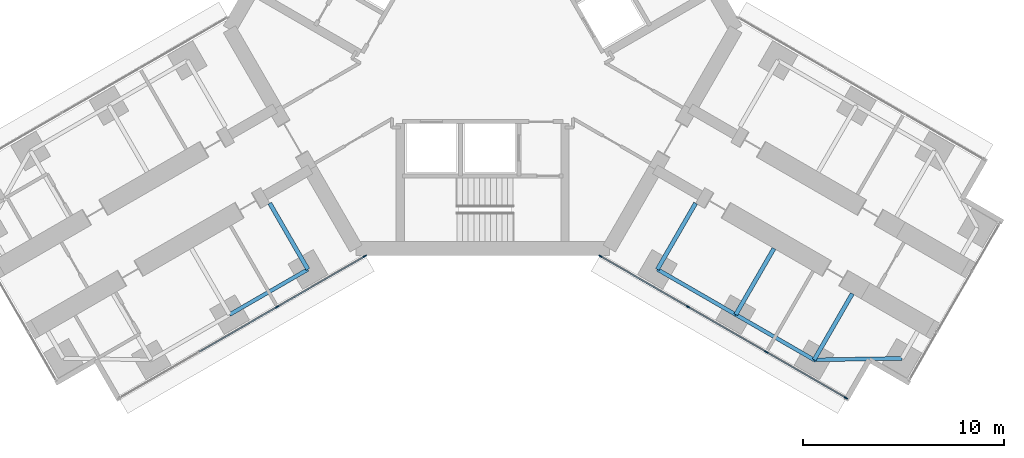
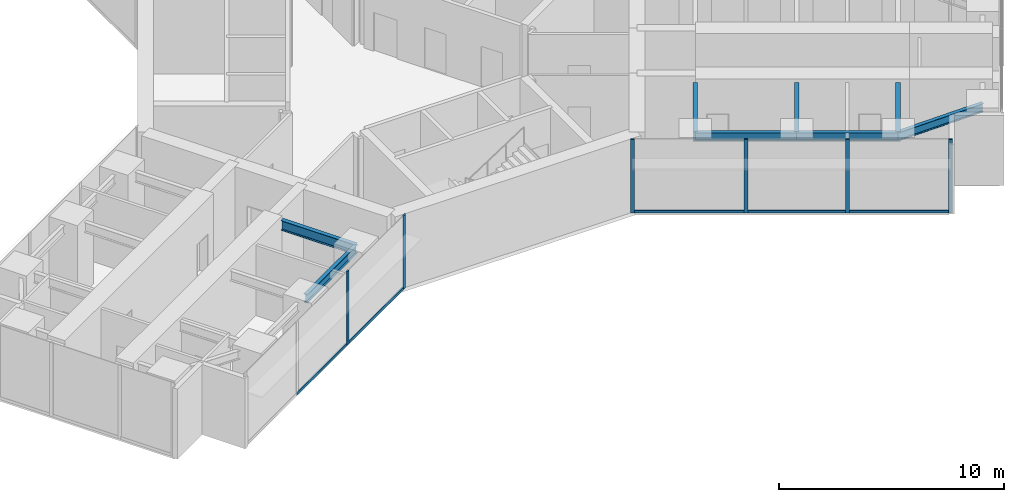
# One storey, part 9 of 24: 11 members, 8 beams, 2 elements without a shape of their own.
"""IFC4 building model written with IfcOpenShell, lengths in metres."""

from ifc_helpers import new_model, si_unit, direction, frame, origin, origin_2d, place, context, subcontext, project, spatial, rectangle, i_section, extrude, material, material_profile, profile_set, type_object, element, aggregate, save


model = new_model("IFC4")

# Units and contexts
model_context = context("Model", 3, precision=1e-05, world=origin(), true_north=direction((0.0, 1.0)))
body_context = subcontext(model_context, "Body", "Model", "MODEL_VIEW")
ifc_project = project(units=[si_unit("LENGTHUNIT", "METRE"), si_unit("AREAUNIT", "SQUARE_METRE"), si_unit("VOLUMEUNIT", "CUBIC_METRE"), si_unit("PLANEANGLEUNIT", "RADIAN"), si_unit("MASSUNIT", "GRAM", prefix="KILO")], contexts=[model_context])

# Site, building, storey
site_placement = place(None, origin())
site = spatial("IfcSite", under=ifc_project, at=site_placement, CompositionType="ELEMENT")
building_placement = place(site_placement, origin())
building = spatial("IfcBuilding", under=site, at=building_placement, Name="Upepo Twin Towers", CompositionType="ELEMENT")
storey_placement = place(building_placement, frame((0.0, 0.0, 48.5)))
storey = spatial("IfcBuildingStorey", under=building, at=storey_placement, Name="L11", CompositionType="ELEMENT", Elevation=48.5)

# Beams
ifc_material_1 = material(Name="Steel S355", Category="steel")
ifc_material_profile_1 = material_profile(ifc_material_1, i_section(OverallWidth=0.1904296875, OverallDepth=0.45703125, WebThickness=0.009033203125, FlangeThickness=0.014404296875, FilletRadius=0.01025390625, at=origin_2d()), Name="UB 457x191x74")
ifc_profile_set_1 = profile_set([ifc_material_profile_1], Name="Steel S355")
beam_type_1 = type_object("IfcBeamType", Name="Beam UB 457x191x74", PredefinedType="BEAM", material=ifc_profile_set_1)
for number, where, z_axis, x_axis, name in (
    (1, (49.80859375, -29.946044921875, 3.571533203125), (-0.866017533419, -0.500013631625, 0.0), (0.500013631625, -0.866017533419, 0.0), "T2 edge beam BL 13.5-18.0"),
    (2, (67.19140625, -29.946044921875, 3.571533203125), (0.866017533419, -0.500013631625, 0.0), (0.500013631625, 0.866017533419, 0.0), "T2 edge beam CR 13.5-18.0"),
):
    element("IfcBeam", number, at=place(storey_placement, frame(where, z_axis=z_axis, x_axis=x_axis)), inside=storey, type_object=beam_type_1, Name=name, PredefinedType="BEAM", context=body_context, shape_type="SweptSolid", body=[
        extrude(i_section(OverallWidth=0.1904296875, OverallDepth=0.45703125, WebThickness=0.009033203125, FlangeThickness=0.014404296875, FilletRadius=0.01025390625, at=origin_2d()), origin(), (0.0, 0.0, 1.0), 4.499755859375),
    ])
beam_1_placement = place(storey_placement, frame((71.08837890625, -32.196044921875, 3.571533203125), z_axis=(0.866031096941, -0.499990139034, 0.0), x_axis=(0.499990139034, 0.866031096941, 0.0)))
element("IfcBeam", 3, at=beam_1_placement, inside=storey, type_object=beam_type_1, Name="T2 edge beam CR 18.0-22.5", PredefinedType="BEAM", context=body_context, shape_type="SweptSolid", body=[
    extrude(i_section(OverallWidth=0.1904296875, OverallDepth=0.45703125, WebThickness=0.009033203125, FlangeThickness=0.014404296875, FilletRadius=0.01025390625, at=origin_2d()), origin(), (0.0, 0.0, 1.0), 4.5),
])
beam_2_placement = place(storey_placement, frame((74.985595703125, -34.446044921875, 3.571533203125), z_axis=(0.999858804832, 0.016803880528, 0.0), x_axis=(-0.016803880528, 0.999858804832, 0.0)))
element("IfcBeam", 4, at=beam_2_placement, inside=storey, type_object=beam_type_1, Name="T2 nose edge beam CR", PredefinedType="BEAM", context=body_context, shape_type="SweptSolid", body=[
    extrude(i_section(OverallWidth=0.1904296875, OverallDepth=0.45703125, WebThickness=0.009033203125, FlangeThickness=0.014404296875, FilletRadius=0.01025390625, at=origin_2d()), origin(), (0.0, 0.0, 1.0), 4.373291015625),
])
ifc_material_2 = material(Name="Steel S355", Category="steel")
ifc_material_profile_2 = material_profile(ifc_material_2, i_section(OverallWidth=0.209228515625, OverallDepth=0.533203125, WebThickness=0.010009765625, FlangeThickness=0.015625, FilletRadius=0.0126953125, at=origin_2d()), Name="UB 533x210x92")
ifc_profile_set_2 = profile_set([ifc_material_profile_2], Name="Steel S355")
beam_type_2 = type_object("IfcBeamType", Name="Beam UB 533x210x92", PredefinedType="BEAM", material=ifc_profile_set_2)
for number, where, z_axis, x_axis, name in (
    (5, (49.80859375, -29.946044921875, 3.533447265625), (-0.499994975061, 0.866028304915, 0.0), (-0.866028304915, -0.499994975061, 0.0), "T2 girder BL at 13.5"),
    (6, (67.19140625, -29.946044921875, 3.533447265625), (0.499994975061, 0.866028304915, 0.0), (-0.866028304915, 0.499994975061, 0.0), "T2 girder CR at 13.5"),
):
    element("IfcBeam", number, at=place(storey_placement, frame(where, z_axis=z_axis, x_axis=x_axis)), inside=storey, type_object=beam_type_2, Name=name, PredefinedType="BEAM", context=body_context, shape_type="SweptSolid", body=[
        extrude(i_section(OverallWidth=0.209228515625, OverallDepth=0.533203125, WebThickness=0.010009765625, FlangeThickness=0.015625, FilletRadius=0.0126953125, at=origin_2d()), origin(), (0.0, 0.0, 1.0), 3.7998046875),
    ])
beam_3_placement = place(storey_placement, frame((71.08837890625, -32.196044921875, 3.533447265625), z_axis=(0.500043160704, 0.866000483506, 0.0), x_axis=(-0.866000483506, 0.500043160704, 0.0)))
element("IfcBeam", 7, at=beam_3_placement, inside=storey, type_object=beam_type_2, Name="T2 girder CR at 18.0", PredefinedType="BEAM", context=body_context, shape_type="SweptSolid", body=[
    extrude(i_section(OverallWidth=0.209228515625, OverallDepth=0.533203125, WebThickness=0.010009765625, FlangeThickness=0.015625, FilletRadius=0.0126953125, at=origin_2d()), origin(), (0.0, 0.0, 1.0), 3.800048828125),
])
beam_4_placement = place(storey_placement, frame((74.985595703125, -34.446044921875, 3.533447265625), z_axis=(0.499994975061, 0.866028304915, 0.0), x_axis=(-0.866028304915, 0.499994975061, 0.0)))
element("IfcBeam", 8, at=beam_4_placement, inside=storey, type_object=beam_type_2, Name="T2 girder CR at 22.5", PredefinedType="BEAM", context=body_context, shape_type="SweptSolid", body=[
    extrude(i_section(OverallWidth=0.209228515625, OverallDepth=0.533203125, WebThickness=0.010009765625, FlangeThickness=0.015625, FilletRadius=0.0126953125, at=origin_2d()), origin(), (0.0, 0.0, 1.0), 3.7998046875),
])

# Curtain wall, members
ifc_material_3 = material(Name="Aluminium and fritted glass", Category="aluminium")
curtain_wall_type = type_object("IfcCurtainWallType", Name="Tower curtain wall TW1, fritted glass", PredefinedType="NOTDEFINED", material=ifc_material_3)
curtain_wall_1_placement = place(storey_placement, origin())
curtain_wall_1 = element("IfcCurtainWall", 9, at=curtain_wall_1_placement, inside=storey, type_object=curtain_wall_type, Name="T2 L11 wing B flank L curtain wall", PredefinedType="NOTDEFINED")
ifc_material_4 = material(Name="Aluminium mullion", Category="aluminium")
ifc_material_profile_3 = material_profile(ifc_material_4, rectangle(XDim=0.06494140625, YDim=0.179931640625, at=origin_2d()), Name="MULLION 65x180")
ifc_profile_set_3 = profile_set([ifc_material_profile_3], Name="Aluminium mullion")
member_type_1 = type_object("IfcMemberType", Name="Mullion 65x180 TW1", PredefinedType="MULLION", material=ifc_profile_set_3)
member_1_placement = place(storey_placement, frame((52.6416015625, -29.2919921875, 0.0), z_axis=(0.0, 0.0, 1.0), x_axis=(0.500000024426, -0.866025389682, 0.0)))
member_1 = element("IfcMember", 10, at=member_1_placement, type_object=member_type_1, Name="T2 L11 wing B flank L curtain wall mullion 1", PredefinedType="MULLION", context=body_context, shape_type="SweptSolid", body=[
    extrude(rectangle(XDim=0.06494140625, YDim=0.179931640625, at=origin_2d()), origin(), (0.0, 0.0, 1.0), 4.0),
])
member_2_placement = place(storey_placement, frame((48.28515625, -31.807373046875, 0.0), z_axis=(0.0, 0.0, 1.0), x_axis=(0.500000024426, -0.866025389682, 0.0)))
member_2 = element("IfcMember", 11, at=member_2_placement, type_object=member_type_1, Name="T2 L11 wing B flank L curtain wall mullion 2", PredefinedType="MULLION", context=body_context, shape_type="SweptSolid", body=[
    extrude(rectangle(XDim=0.06494140625, YDim=0.179931640625, at=origin_2d()), origin(), (0.0, 0.0, 1.0), 4.0),
])

curtain_wall_2_placement = place(storey_placement, origin())
curtain_wall_2 = element("IfcCurtainWall", 12, at=curtain_wall_2_placement, inside=storey, type_object=curtain_wall_type, Name="T2 L11 wing C flank R curtain wall", PredefinedType="NOTDEFINED")
member_3_placement = place(storey_placement, frame((76.567626953125, -36.341064453125, 0.0), z_axis=(0.0, 0.0, 1.0), x_axis=(-0.500000024426, -0.866025389682, 0.0)))
member_3 = element("IfcMember", 13, at=member_3_placement, type_object=member_type_1, Name="T2 L11 wing C flank R curtain wall mullion 1", PredefinedType="MULLION", context=body_context, shape_type="SweptSolid", body=[
    extrude(rectangle(XDim=0.06494140625, YDim=0.179931640625, at=origin_2d()), origin(), (0.0, 0.0, 1.0), 4.0),
])
member_4_placement = place(storey_placement, frame((72.612060546875, -34.057373046875, 0.0), z_axis=(0.0, 0.0, 1.0), x_axis=(-0.500000024426, -0.866025389682, 0.0)))
member_4 = element("IfcMember", 14, at=member_4_placement, type_object=member_type_1, Name="T2 L11 wing C flank R curtain wall mullion 2", PredefinedType="MULLION", context=body_context, shape_type="SweptSolid", body=[
    extrude(rectangle(XDim=0.06494140625, YDim=0.179931640625, at=origin_2d()), origin(), (0.0, 0.0, 1.0), 4.0),
])
member_5_placement = place(storey_placement, frame((68.71484375, -31.807373046875, 0.0), z_axis=(0.0, 0.0, 1.0), x_axis=(-0.500000024426, -0.866025389682, 0.0)))
member_5 = element("IfcMember", 15, at=member_5_placement, type_object=member_type_1, Name="T2 L11 wing C flank R curtain wall mullion 3", PredefinedType="MULLION", context=body_context, shape_type="SweptSolid", body=[
    extrude(rectangle(XDim=0.06494140625, YDim=0.179931640625, at=origin_2d()), origin(), (0.0, 0.0, 1.0), 4.0),
])
member_6_placement = place(storey_placement, frame((64.3583984375, -29.2919921875, 0.0), z_axis=(0.0, 0.0, 1.0), x_axis=(-0.500000024426, -0.866025389682, 0.0)))
member_6 = element("IfcMember", 16, at=member_6_placement, type_object=member_type_1, Name="T2 L11 wing C flank R curtain wall mullion 4", PredefinedType="MULLION", context=body_context, shape_type="SweptSolid", body=[
    extrude(rectangle(XDim=0.06494140625, YDim=0.179931640625, at=origin_2d()), origin(), (0.0, 0.0, 1.0), 4.0),
])

# Member
ifc_material_5 = material(Name="Aluminium transom", Category="aluminium")
ifc_material_profile_4 = material_profile(ifc_material_5, rectangle(XDim=0.06494140625, YDim=0.14990234375, at=origin_2d()), Name="TRANSOM 65x150")
ifc_profile_set_4 = profile_set([ifc_material_profile_4], Name="Aluminium transom")
member_type_2 = type_object("IfcMemberType", Name="Transom 65x150 TW1", PredefinedType="USERDEFINED", material=ifc_profile_set_4)
member_7_placement = place(storey_placement, frame((52.61328125, -29.308349609375, 0.074951171875), z_axis=(-0.866022642139, -0.50000478328, 0.0), x_axis=(0.50000478328, -0.866022642139, 0.0)))
member_7 = element("IfcMember", 17, at=member_7_placement, type_object=member_type_2, Name="T2 L11 wing B flank L curtain wall transom 1", ObjectType="TRANSOM", PredefinedType="USERDEFINED", context=body_context, shape_type="SweptSolid", body=[
    extrude(rectangle(XDim=0.06494140625, YDim=0.14990234375, at=origin_2d()), origin(), (0.0, 0.0, 1.0), 4.96533203125),
])

member_8_placement = place(storey_placement, frame((48.2568359375, -31.823486328125, 0.074951171875), z_axis=(-0.866022410713, -0.500005184116, 0.0), x_axis=(0.500005184116, -0.866022410713, 0.0)))
member_8 = element("IfcMember", 18, at=member_8_placement, type_object=member_type_2, Name="T2 L11 wing B flank L curtain wall transom 2", ObjectType="TRANSOM", PredefinedType="USERDEFINED", context=body_context, shape_type="SweptSolid", body=[
    extrude(rectangle(XDim=0.06494140625, YDim=0.14990234375, at=origin_2d()), origin(), (0.0, 0.0, 1.0), 4.43505859375),
])

aggregate(curtain_wall_1, [member_1, member_2, member_7, member_8])

member_9_placement = place(storey_placement, frame((76.53955078125, -36.32470703125, 0.074951171875), z_axis=(-0.866035699072, 0.499982167615, 0.0), x_axis=(-0.499982167615, -0.866035699072, 0.0)))
member_9 = element("IfcMember", 19, at=member_9_placement, type_object=member_type_2, Name="T2 L11 wing C flank R curtain wall transom 1", ObjectType="TRANSOM", PredefinedType="USERDEFINED", context=body_context, shape_type="SweptSolid", body=[
    extrude(rectangle(XDim=0.06494140625, YDim=0.14990234375, at=origin_2d()), origin(), (0.0, 0.0, 1.0), 4.502685546875),
])

member_10_placement = place(storey_placement, frame((72.583984375, -34.041015625, 0.074951171875), z_axis=(-0.866022410713, 0.500005184116, 0.0), x_axis=(-0.500005184116, -0.866022410713, 0.0)))
member_10 = element("IfcMember", 20, at=member_10_placement, type_object=member_type_2, Name="T2 L11 wing C flank R curtain wall transom 2", ObjectType="TRANSOM", PredefinedType="USERDEFINED", context=body_context, shape_type="SweptSolid", body=[
    extrude(rectangle(XDim=0.06494140625, YDim=0.14990234375, at=origin_2d()), origin(), (0.0, 0.0, 1.0), 4.43505859375),
])

member_11_placement = place(storey_placement, frame((68.686767578125, -31.791015625, 0.074951171875), z_axis=(-0.866022642139, 0.50000478328, 0.0), x_axis=(-0.50000478328, -0.866022642139, 0.0)))
member_11 = element("IfcMember", 21, at=member_11_placement, type_object=member_type_2, Name="T2 L11 wing C flank R curtain wall transom 3", ObjectType="TRANSOM", PredefinedType="USERDEFINED", context=body_context, shape_type="SweptSolid", body=[
    extrude(rectangle(XDim=0.06494140625, YDim=0.14990234375, at=origin_2d()), origin(), (0.0, 0.0, 1.0), 4.96533203125),
])

aggregate(curtain_wall_2, [member_3, member_4, member_5, member_6, member_9, member_10, member_11])

save(model, "model.ifc")
